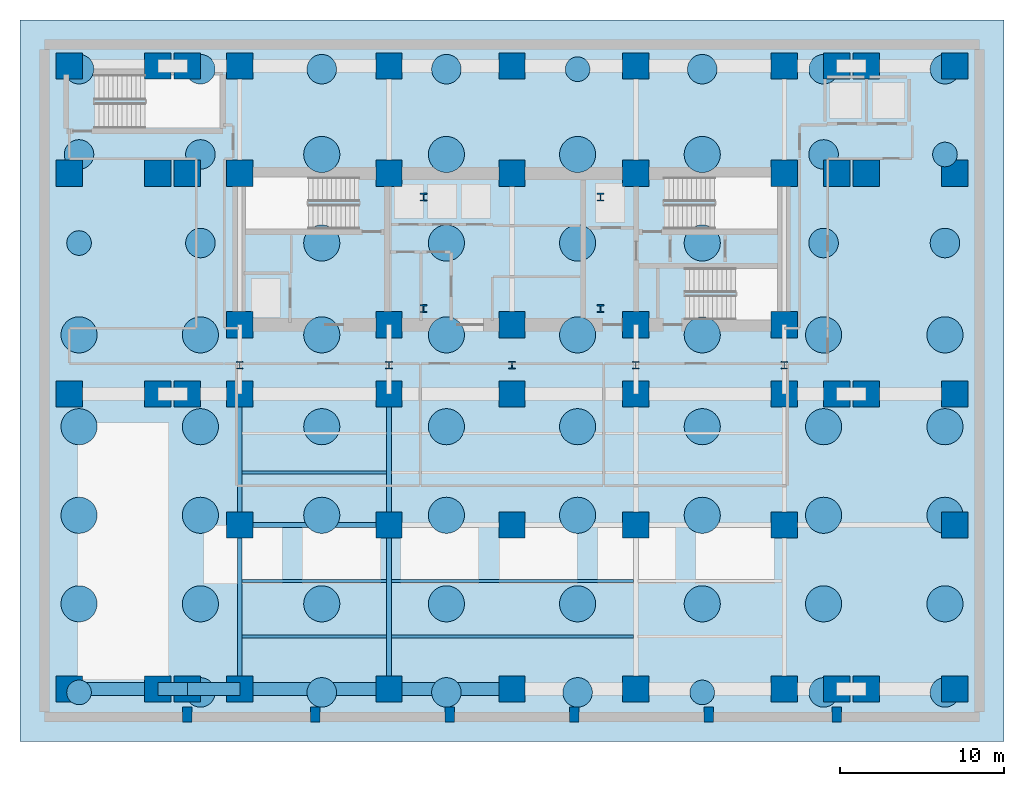
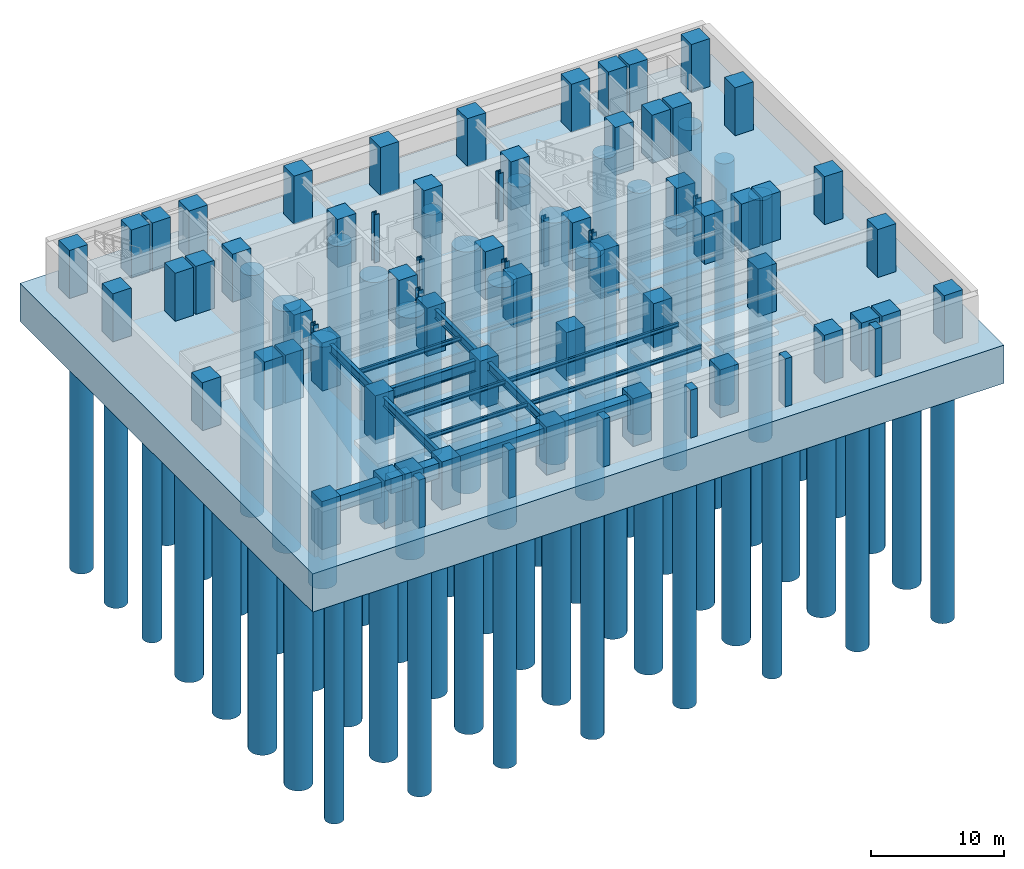
# One storey, part 1 of 9: 70 columns, 64 piles, 15 beams, 1 footing.
"""IFC4 building model written with IfcOpenShell, lengths in metres."""

from ifc_helpers import new_model, si_unit, direction, frame, origin, origin_2d, place, context, subcontext, project, spatial, polyline, rectangle, circle, i_section, outline, extrude, material, layer, layer_set, material_profile, profile_set, type_object, element, save


model = new_model("IFC4")

# Units and contexts
model_context = context("Model", 3, precision=1e-05, world=origin(), true_north=direction((0.0, 1.0)))
body_context = subcontext(model_context, "Body", "Model", "MODEL_VIEW")
ifc_project = project(units=[si_unit("LENGTHUNIT", "METRE"), si_unit("AREAUNIT", "SQUARE_METRE"), si_unit("VOLUMEUNIT", "CUBIC_METRE"), si_unit("PLANEANGLEUNIT", "RADIAN"), si_unit("MASSUNIT", "GRAM", prefix="KILO")], contexts=[model_context])

# Site, building, storey
site_placement = place(None, origin())
site = spatial("IfcSite", under=ifc_project, at=site_placement, CompositionType="ELEMENT")
building_placement = place(site_placement, origin())
building = spatial("IfcBuilding", under=site, at=building_placement, Name="Zarnavel Station Tower", CompositionType="ELEMENT")
storey_placement = place(building_placement, frame((0.0, 0.0, -13.199951171875)))
storey = spatial("IfcBuildingStorey", under=building, at=storey_placement, Name="B03", CompositionType="ELEMENT", Elevation=-13.199951171875)

# Piles
ifc_material_1 = material(Name="Concrete C50/60", Category="concrete")
ifc_material_profile_1 = material_profile(ifc_material_1, circle(Radius=0.75, at=origin_2d()), Name="PILE1500")
ifc_profile_set_1 = profile_set([ifc_material_profile_1], Name="Concrete C50/60")
pile_type_1 = type_object("IfcPileType", Name="BP_1500", PredefinedType="BORED", material=ifc_profile_set_1)
for number, where, z_axis, x_axis, name in (
    (1, (2.39990234375, 5.39990234375, -3.300048828125), (0.0, 0.0, -1.0), (1.0, 0.0, 0.0), "Bored Rock-Socketed Pile BP01"),
    (2, (40.39990234375, 5.39990234375, -3.300048828125), (0.0, 0.0, -1.0), (1.0, 0.0, 0.0), "Bored Rock-Socketed Pile BP06"),
    (3, (2.39990234375, 32.800048828125, -3.300048828125), (0.0, 0.0, -1.0), (1.0, 0.0, 0.0), "Bored Rock-Socketed Pile BP41"),
    (4, (55.199951171875, 38.199951171875, -3.300048828125), (0.0, 0.0, -1.0), (1.0, 0.0, 0.0), "Bored Rock-Socketed Pile BP56"),
    (5, (32.800048828125, 43.39990234375, -3.300048828125), (0.0, 0.0, -1.0), (1.0, 0.0, 0.0), "Bored Rock-Socketed Pile BP61"),
):
    element("IfcPile", number, at=place(storey_placement, frame(where, z_axis=z_axis, x_axis=x_axis)), inside=storey, type_object=pile_type_1, Name=name, PredefinedType="BORED", context=body_context, shape_type="SweptSolid", body=[
        extrude(circle(Radius=0.75, at=origin_2d()), origin(), (0.0, 0.0, 1.0), 22.199951171875),
    ])
ifc_material_2 = material(Name="Concrete C50/60", Category="concrete")
ifc_material_profile_2 = material_profile(ifc_material_2, circle(Radius=0.89990234375, at=origin_2d()), Name="PILE1800")
ifc_profile_set_2 = profile_set([ifc_material_profile_2], Name="Concrete C50/60")
pile_type_2 = type_object("IfcPileType", Name="BP_1800", PredefinedType="BORED", material=ifc_profile_set_2)
for number, where, z_axis, x_axis, name in (
    (6, (9.800048828125, 5.39990234375, -3.300048828125), (0.0, 0.0, -1.0), (1.0, 0.0, 0.0), "Bored Rock-Socketed Pile BP02"),
    (7, (17.199951171875, 5.39990234375, -3.300048828125), (0.0, 0.0, -1.0), (1.0, 0.0, 0.0), "Bored Rock-Socketed Pile BP03"),
    (8, (24.800048828125, 5.39990234375, -3.300048828125), (0.0, 0.0, -1.0), (1.0, 0.0, 0.0), "Bored Rock-Socketed Pile BP04"),
    (9, (32.800048828125, 5.39990234375, -3.300048828125), (0.0, 0.0, -1.0), (1.0, 0.0, 0.0), "Bored Rock-Socketed Pile BP05"),
    (10, (47.800048828125, 5.39990234375, -3.300048828125), (0.0, 0.0, -1.0), (1.0, 0.0, 0.0), "Bored Rock-Socketed Pile BP07"),
    (11, (55.199951171875, 5.39990234375, -3.300048828125), (0.0, 0.0, -1.0), (1.0, 0.0, 0.0), "Bored Rock-Socketed Pile BP08"),
    (12, (9.800048828125, 32.800048828125, -3.300048828125), (0.0, 0.0, -1.0), (1.0, 0.0, 0.0), "Bored Rock-Socketed Pile BP42"),
    (13, (47.800048828125, 32.800048828125, -3.300048828125), (0.0, 0.0, -1.0), (1.0, 0.0, 0.0), "Bored Rock-Socketed Pile BP47"),
    (14, (55.199951171875, 32.800048828125, -3.300048828125), (0.0, 0.0, -1.0), (1.0, 0.0, 0.0), "Bored Rock-Socketed Pile BP48"),
    (15, (2.39990234375, 38.199951171875, -3.300048828125), (0.0, 0.0, -1.0), (1.0, 0.0, 0.0), "Bored Rock-Socketed Pile BP49"),
    (16, (9.800048828125, 38.199951171875, -3.300048828125), (0.0, 0.0, -1.0), (1.0, 0.0, 0.0), "Bored Rock-Socketed Pile BP50"),
    (17, (47.800048828125, 38.199951171875, -3.300048828125), (0.0, 0.0, -1.0), (1.0, 0.0, 0.0), "Bored Rock-Socketed Pile BP55"),
    (18, (2.39990234375, 43.39990234375, -3.300048828125), (0.0, 0.0, -1.0), (1.0, 0.0, 0.0), "Bored Rock-Socketed Pile BP57"),
    (19, (9.800048828125, 43.39990234375, -3.300048828125), (0.0, 0.0, -1.0), (1.0, 0.0, 0.0), "Bored Rock-Socketed Pile BP58"),
    (20, (17.199951171875, 43.39990234375, -3.300048828125), (0.0, 0.0, -1.0), (1.0, 0.0, 0.0), "Bored Rock-Socketed Pile BP59"),
    (21, (24.800048828125, 43.39990234375, -3.300048828125), (0.0, 0.0, -1.0), (1.0, 0.0, 0.0), "Bored Rock-Socketed Pile BP60"),
    (22, (40.39990234375, 43.39990234375, -3.300048828125), (0.0, 0.0, -1.0), (1.0, 0.0, 0.0), "Bored Rock-Socketed Pile BP62"),
    (23, (47.800048828125, 43.39990234375, -3.300048828125), (0.0, 0.0, -1.0), (1.0, 0.0, 0.0), "Bored Rock-Socketed Pile BP63"),
    (24, (55.199951171875, 43.39990234375, -3.300048828125), (0.0, 0.0, -1.0), (1.0, 0.0, 0.0), "Bored Rock-Socketed Pile BP64"),
):
    element("IfcPile", number, at=place(storey_placement, frame(where, z_axis=z_axis, x_axis=x_axis)), inside=storey, type_object=pile_type_2, Name=name, PredefinedType="BORED", context=body_context, shape_type="SweptSolid", body=[
        extrude(circle(Radius=0.89990234375, at=origin_2d()), origin(), (0.0, 0.0, 1.0), 22.199951171875),
    ])
ifc_material_3 = material(Name="Concrete C50/60", Category="concrete")
ifc_material_profile_3 = material_profile(ifc_material_3, circle(Radius=1.10009765625, at=origin_2d()), Name="PILE2200")
ifc_profile_set_3 = profile_set([ifc_material_profile_3], Name="Concrete C50/60")
pile_type_3 = type_object("IfcPileType", Name="BP_2200", PredefinedType="BORED", material=ifc_profile_set_3)
for number, where, z_axis, x_axis, name in (
    (25, (2.39990234375, 10.800048828125, -3.300048828125), (0.0, 0.0, -1.0), (1.0, 0.0, 0.0), "Bored Rock-Socketed Pile BP09"),
    (26, (9.800048828125, 10.800048828125, -3.300048828125), (0.0, 0.0, -1.0), (1.0, 0.0, 0.0), "Bored Rock-Socketed Pile BP10"),
    (27, (17.199951171875, 10.800048828125, -3.300048828125), (0.0, 0.0, -1.0), (1.0, 0.0, 0.0), "Bored Rock-Socketed Pile BP11"),
    (28, (24.800048828125, 10.800048828125, -3.300048828125), (0.0, 0.0, -1.0), (1.0, 0.0, 0.0), "Bored Rock-Socketed Pile BP12"),
    (29, (32.800048828125, 10.800048828125, -3.300048828125), (0.0, 0.0, -1.0), (1.0, 0.0, 0.0), "Bored Rock-Socketed Pile BP13"),
    (30, (40.39990234375, 10.800048828125, -3.300048828125), (0.0, 0.0, -1.0), (1.0, 0.0, 0.0), "Bored Rock-Socketed Pile BP14"),
    (31, (47.800048828125, 10.800048828125, -3.300048828125), (0.0, 0.0, -1.0), (1.0, 0.0, 0.0), "Bored Rock-Socketed Pile BP15"),
    (32, (55.199951171875, 10.800048828125, -3.300048828125), (0.0, 0.0, -1.0), (1.0, 0.0, 0.0), "Bored Rock-Socketed Pile BP16"),
    (33, (2.39990234375, 16.199951171875, -3.300048828125), (0.0, 0.0, -1.0), (1.0, 0.0, 0.0), "Bored Rock-Socketed Pile BP17"),
    (34, (9.800048828125, 16.199951171875, -3.300048828125), (0.0, 0.0, -1.0), (1.0, 0.0, 0.0), "Bored Rock-Socketed Pile BP18"),
    (35, (17.199951171875, 16.199951171875, -3.300048828125), (0.0, 0.0, -1.0), (1.0, 0.0, 0.0), "Bored Rock-Socketed Pile BP19"),
    (36, (24.800048828125, 16.199951171875, -3.300048828125), (0.0, 0.0, -1.0), (1.0, 0.0, 0.0), "Bored Rock-Socketed Pile BP20"),
    (37, (32.800048828125, 16.199951171875, -3.300048828125), (0.0, 0.0, -1.0), (1.0, 0.0, 0.0), "Bored Rock-Socketed Pile BP21"),
    (38, (40.39990234375, 16.199951171875, -3.300048828125), (0.0, 0.0, -1.0), (1.0, 0.0, 0.0), "Bored Rock-Socketed Pile BP22"),
    (39, (47.800048828125, 16.199951171875, -3.300048828125), (0.0, 0.0, -1.0), (1.0, 0.0, 0.0), "Bored Rock-Socketed Pile BP23"),
    (40, (55.199951171875, 16.199951171875, -3.300048828125), (0.0, 0.0, -1.0), (1.0, 0.0, 0.0), "Bored Rock-Socketed Pile BP24"),
    (41, (2.39990234375, 21.60009765625, -3.300048828125), (0.0, 0.0, -1.0), (1.0, 0.0, 0.0), "Bored Rock-Socketed Pile BP25"),
    (42, (9.800048828125, 21.60009765625, -3.300048828125), (0.0, 0.0, -1.0), (1.0, 0.0, 0.0), "Bored Rock-Socketed Pile BP26"),
    (43, (17.199951171875, 21.60009765625, -3.300048828125), (0.0, 0.0, -1.0), (1.0, 0.0, 0.0), "Bored Rock-Socketed Pile BP27"),
    (44, (24.800048828125, 21.60009765625, -3.300048828125), (0.0, 0.0, -1.0), (1.0, 0.0, 0.0), "Bored Rock-Socketed Pile BP28"),
    (45, (32.800048828125, 21.60009765625, -3.300048828125), (0.0, 0.0, -1.0), (1.0, 0.0, 0.0), "Bored Rock-Socketed Pile BP29"),
    (46, (40.39990234375, 21.60009765625, -3.300048828125), (0.0, 0.0, -1.0), (1.0, 0.0, 0.0), "Bored Rock-Socketed Pile BP30"),
    (47, (47.800048828125, 21.60009765625, -3.300048828125), (0.0, 0.0, -1.0), (1.0, 0.0, 0.0), "Bored Rock-Socketed Pile BP31"),
    (48, (55.199951171875, 21.60009765625, -3.300048828125), (0.0, 0.0, -1.0), (1.0, 0.0, 0.0), "Bored Rock-Socketed Pile BP32"),
    (49, (2.39990234375, 27.199951171875, -3.300048828125), (0.0, 0.0, -1.0), (1.0, 0.0, 0.0), "Bored Rock-Socketed Pile BP33"),
    (50, (9.800048828125, 27.199951171875, -3.300048828125), (0.0, 0.0, -1.0), (1.0, 0.0, 0.0), "Bored Rock-Socketed Pile BP34"),
    (51, (17.199951171875, 27.199951171875, -3.300048828125), (0.0, 0.0, -1.0), (1.0, 0.0, 0.0), "Bored Rock-Socketed Pile BP35"),
    (52, (24.800048828125, 27.199951171875, -3.300048828125), (0.0, 0.0, -1.0), (1.0, 0.0, 0.0), "Bored Rock-Socketed Pile BP36"),
    (53, (32.800048828125, 27.199951171875, -3.300048828125), (0.0, 0.0, -1.0), (1.0, 0.0, 0.0), "Bored Rock-Socketed Pile BP37"),
    (54, (40.39990234375, 27.199951171875, -3.300048828125), (0.0, 0.0, -1.0), (1.0, 0.0, 0.0), "Bored Rock-Socketed Pile BP38"),
    (55, (47.800048828125, 27.199951171875, -3.300048828125), (0.0, 0.0, -1.0), (1.0, 0.0, 0.0), "Bored Rock-Socketed Pile BP39"),
    (56, (55.199951171875, 27.199951171875, -3.300048828125), (0.0, 0.0, -1.0), (1.0, 0.0, 0.0), "Bored Rock-Socketed Pile BP40"),
    (57, (17.199951171875, 32.800048828125, -3.300048828125), (0.0, 0.0, -1.0), (1.0, 0.0, 0.0), "Bored Rock-Socketed Pile BP43"),
    (58, (24.800048828125, 32.800048828125, -3.300048828125), (0.0, 0.0, -1.0), (1.0, 0.0, 0.0), "Bored Rock-Socketed Pile BP44"),
    (59, (32.800048828125, 32.800048828125, -3.300048828125), (0.0, 0.0, -1.0), (1.0, 0.0, 0.0), "Bored Rock-Socketed Pile BP45"),
    (60, (40.39990234375, 32.800048828125, -3.300048828125), (0.0, 0.0, -1.0), (1.0, 0.0, 0.0), "Bored Rock-Socketed Pile BP46"),
    (61, (17.199951171875, 38.199951171875, -3.300048828125), (0.0, 0.0, -1.0), (1.0, 0.0, 0.0), "Bored Rock-Socketed Pile BP51"),
    (62, (24.800048828125, 38.199951171875, -3.300048828125), (0.0, 0.0, -1.0), (1.0, 0.0, 0.0), "Bored Rock-Socketed Pile BP52"),
    (63, (32.800048828125, 38.199951171875, -3.300048828125), (0.0, 0.0, -1.0), (1.0, 0.0, 0.0), "Bored Rock-Socketed Pile BP53"),
    (64, (40.39990234375, 38.199951171875, -3.300048828125), (0.0, 0.0, -1.0), (1.0, 0.0, 0.0), "Bored Rock-Socketed Pile BP54"),
):
    element("IfcPile", number, at=place(storey_placement, frame(where, z_axis=z_axis, x_axis=x_axis)), inside=storey, type_object=pile_type_3, Name=name, PredefinedType="BORED", context=body_context, shape_type="SweptSolid", body=[
        extrude(circle(Radius=1.10009765625, at=origin_2d()), origin(), (0.0, 0.0, 1.0), 22.199951171875),
    ])

# Footing
ifc_material_4 = material(Name="Concrete C50/60", Category="concrete")
ifc_layer = layer(ifc_material_4, 3.5)
ifc_layer_set = layer_set([ifc_layer], Name="FT_RAFT_3500")
footing_type = type_object("IfcFootingType", Name="FT_RAFT_3500", PredefinedType="CAISSON_FOUNDATION", material=ifc_layer_set)
footing_placement = place(storey_placement, frame((0.0, 0.0, -3.5)))
element("IfcFooting", 65, at=footing_placement, inside=storey, type_object=footing_type, Name="B03 Monolithic Piled Raft", PredefinedType="CAISSON_FOUNDATION", context=body_context, shape_type="SweptSolid", body=[
    extrude(outline(polyline([(-1.199951171875, 2.39990234375), (58.800048828125, 2.39990234375), (58.800048828125, 46.39990234375), (-1.199951171875, 46.39990234375), (-1.199951171875, 2.39990234375)])), origin(), (0.0, 0.0, 1.0), 3.5),
])

# Columns
ifc_material_5 = material(Name="Steel S460M", Category="steel")
ifc_material_profile_4 = material_profile(ifc_material_5, i_section(OverallWidth=0.41796875, OverallDepth=0.48095703125, WebThickness=0.04345703125, FlangeThickness=0.068115234375, FilletRadius=0.014892578125, at=origin_2d()), Name="HD400x677")
ifc_profile_set_4 = profile_set([ifc_material_profile_4], Name="Steel S460M")
column_type_1 = type_object("IfcColumnType", Name="IC_HD677", PredefinedType="COLUMN", material=ifc_profile_set_4)
for number, where, z_axis, x_axis, name in (
    (66, (23.39990234375, 28.800048828125, 0.0), (0.0, 0.0, 1.0), (1.0, 0.0, 0.0), "B03 Mast Spine Column 1"),
    (67, (34.199951171875, 28.800048828125, 0.0), (0.0, 0.0, 1.0), (1.0, 0.0, 0.0), "B03 Mast Spine Column 2"),
    (68, (34.199951171875, 35.60009765625, 0.0), (0.0, 0.0, 1.0), (1.0, 0.0, 0.0), "B03 Mast Spine Column 3"),
    (69, (23.39990234375, 35.60009765625, 0.0), (0.0, 0.0, 1.0), (1.0, 0.0, 0.0), "B03 Mast Spine Column 4"),
    (70, (12.199951171875, 25.35009765625, 0.0), (0.0, 0.0, 1.0), (1.0, 0.0, 0.0), "B03 Inner Spine Column 1"),
    (71, (21.300048828125, 25.35009765625, 0.0), (0.0, 0.0, 1.0), (1.0, 0.0, 0.0), "B03 Inner Spine Column 2"),
    (72, (28.800048828125, 25.35009765625, 0.0), (0.0, 0.0, 1.0), (1.0, 0.0, 0.0), "B03 Inner Spine Column 3"),
    (73, (36.35009765625, 25.35009765625, 0.0), (0.0, 0.0, 1.0), (1.0, 0.0, 0.0), "B03 Inner Spine Column 4"),
    (74, (45.39990234375, 25.35009765625, 0.0), (0.0, 0.0, 1.0), (1.0, 0.0, 0.0), "B03 Inner Spine Column 5"),
):
    element("IfcColumn", number, at=place(storey_placement, frame(where, z_axis=z_axis, x_axis=x_axis)), inside=storey, type_object=column_type_1, Name=name, PredefinedType="COLUMN", context=body_context, shape_type="SweptSolid", body=[
        extrude(i_section(OverallWidth=0.41796875, OverallDepth=0.48095703125, WebThickness=0.04345703125, FlangeThickness=0.068115234375, FilletRadius=0.014892578125, at=origin_2d()), origin(), (0.0, 0.0, 1.0), 4.39990234375),
    ])
ifc_material_6 = material(Name="Concrete C60/75", Category="concrete")
ifc_material_profile_5 = material_profile(ifc_material_6, rectangle(XDim=1.60009765625, YDim=1.60009765625, at=origin_2d()), Name="RC1600x1600")
ifc_profile_set_5 = profile_set([ifc_material_profile_5], Name="Concrete C60/75")
column_type_2 = type_object("IfcColumnType", Name="IC_RC1600", PredefinedType="COLUMN", material=ifc_profile_set_5)
for number, where, z_axis, x_axis, name in (
    (75, (12.199951171875, 27.820068359375, 0.0), (0.0, 0.0, 1.0), (1.0, 0.0, 0.0), "B03 Core Spine Column 1-1"),
    (76, (12.199951171875, 37.050048828125, 0.0), (0.0, 0.0, 1.0), (1.0, 0.0, 0.0), "B03 Core Spine Column 1-2"),
    (77, (21.300048828125, 27.820068359375, 0.0), (0.0, 0.0, 1.0), (1.0, 0.0, 0.0), "B03 Core Spine Column 2-1"),
    (78, (21.300048828125, 37.050048828125, 0.0), (0.0, 0.0, 1.0), (1.0, 0.0, 0.0), "B03 Core Spine Column 2-2"),
    (79, (28.800048828125, 27.820068359375, 0.0), (0.0, 0.0, 1.0), (1.0, 0.0, 0.0), "B03 Core Spine Column 3-1"),
    (80, (28.800048828125, 37.050048828125, 0.0), (0.0, 0.0, 1.0), (1.0, 0.0, 0.0), "B03 Core Spine Column 3-2"),
    (81, (36.35009765625, 27.820068359375, 0.0), (0.0, 0.0, 1.0), (1.0, 0.0, 0.0), "B03 Core Spine Column 4-1"),
    (82, (36.35009765625, 37.050048828125, 0.0), (0.0, 0.0, 1.0), (1.0, 0.0, 0.0), "B03 Core Spine Column 4-2"),
    (83, (45.39990234375, 27.820068359375, 0.0), (0.0, 0.0, 1.0), (1.0, 0.0, 0.0), "B03 Core Spine Column 5-1"),
    (84, (45.39990234375, 37.050048828125, 0.0), (0.0, 0.0, 1.0), (1.0, 0.0, 0.0), "B03 Core Spine Column 5-2"),
    (85, (1.800048828125, 5.60009765625, 0.0), (0.0, 0.0, 1.0), (1.0, 0.0, 0.0), "B03 Podium Column 1-1"),
    (86, (1.800048828125, 23.60009765625, 0.0), (0.0, 0.0, 1.0), (1.0, 0.0, 0.0), "B03 Podium Column 1-3"),
    (87, (1.800048828125, 37.050048828125, 0.0), (0.0, 0.0, 1.0), (1.0, 0.0, 0.0), "B03 Podium Column 1-4"),
    (88, (1.800048828125, 43.60009765625, 0.0), (0.0, 0.0, 1.0), (1.0, 0.0, 0.0), "B03 Podium Column 1-5"),
    (89, (7.199951171875, 5.60009765625, 0.0), (0.0, 0.0, 1.0), (1.0, 0.0, 0.0), "B03 Podium Column 2-1"),
    (90, (7.199951171875, 23.60009765625, 0.0), (0.0, 0.0, 1.0), (1.0, 0.0, 0.0), "B03 Podium Column 2-3"),
    (91, (7.199951171875, 37.050048828125, 0.0), (0.0, 0.0, 1.0), (1.0, 0.0, 0.0), "B03 Podium Column 2-4"),
    (92, (7.199951171875, 43.60009765625, 0.0), (0.0, 0.0, 1.0), (1.0, 0.0, 0.0), "B03 Podium Column 2-5"),
    (93, (9.0, 5.60009765625, 0.0), (0.0, 0.0, 1.0), (1.0, 0.0, 0.0), "B03 Podium Column 3-1"),
    (94, (9.0, 23.60009765625, 0.0), (0.0, 0.0, 1.0), (1.0, 0.0, 0.0), "B03 Podium Column 3-3"),
    (95, (9.0, 37.050048828125, 0.0), (0.0, 0.0, 1.0), (1.0, 0.0, 0.0), "B03 Podium Column 3-4"),
    (96, (9.0, 43.60009765625, 0.0), (0.0, 0.0, 1.0), (1.0, 0.0, 0.0), "B03 Podium Column 3-5"),
    (97, (12.199951171875, 5.60009765625, 0.0), (0.0, 0.0, 1.0), (1.0, 0.0, 0.0), "B03 Podium Column 4-1"),
    (98, (12.199951171875, 15.60009765625, 0.0), (0.0, 0.0, 1.0), (1.0, 0.0, 0.0), "B03 Podium Column 4-2"),
    (99, (12.199951171875, 23.60009765625, 0.0), (0.0, 0.0, 1.0), (1.0, 0.0, 0.0), "B03 Podium Column 4-3"),
    (100, (12.199951171875, 43.60009765625, 0.0), (0.0, 0.0, 1.0), (1.0, 0.0, 0.0), "B03 Podium Column 4-5"),
    (101, (21.300048828125, 5.60009765625, 0.0), (0.0, 0.0, 1.0), (1.0, 0.0, 0.0), "B03 Podium Column 5-1"),
    (102, (21.300048828125, 15.60009765625, 0.0), (0.0, 0.0, 1.0), (1.0, 0.0, 0.0), "B03 Podium Column 5-2"),
    (103, (21.300048828125, 23.60009765625, 0.0), (0.0, 0.0, 1.0), (1.0, 0.0, 0.0), "B03 Podium Column 5-3"),
    (104, (21.300048828125, 43.60009765625, 0.0), (0.0, 0.0, 1.0), (1.0, 0.0, 0.0), "B03 Podium Column 5-5"),
    (105, (28.800048828125, 5.60009765625, 0.0), (0.0, 0.0, 1.0), (1.0, 0.0, 0.0), "B03 Podium Column 6-1"),
    (106, (28.800048828125, 15.60009765625, 0.0), (0.0, 0.0, 1.0), (1.0, 0.0, 0.0), "B03 Podium Column 6-2"),
    (107, (28.800048828125, 23.60009765625, 0.0), (0.0, 0.0, 1.0), (1.0, 0.0, 0.0), "B03 Podium Column 6-3"),
    (108, (28.800048828125, 43.60009765625, 0.0), (0.0, 0.0, 1.0), (1.0, 0.0, 0.0), "B03 Podium Column 6-5"),
    (109, (36.35009765625, 5.60009765625, 0.0), (0.0, 0.0, 1.0), (1.0, 0.0, 0.0), "B03 Podium Column 7-1"),
    (110, (36.35009765625, 15.60009765625, 0.0), (0.0, 0.0, 1.0), (1.0, 0.0, 0.0), "B03 Podium Column 7-2"),
    (111, (36.35009765625, 23.60009765625, 0.0), (0.0, 0.0, 1.0), (1.0, 0.0, 0.0), "B03 Podium Column 7-3"),
    (112, (36.35009765625, 43.60009765625, 0.0), (0.0, 0.0, 1.0), (1.0, 0.0, 0.0), "B03 Podium Column 7-5"),
    (113, (45.39990234375, 5.60009765625, 0.0), (0.0, 0.0, 1.0), (1.0, 0.0, 0.0), "B03 Podium Column 8-1"),
    (114, (45.39990234375, 15.60009765625, 0.0), (0.0, 0.0, 1.0), (1.0, 0.0, 0.0), "B03 Podium Column 8-2"),
    (115, (45.39990234375, 23.60009765625, 0.0), (0.0, 0.0, 1.0), (1.0, 0.0, 0.0), "B03 Podium Column 8-3"),
    (116, (45.39990234375, 43.60009765625, 0.0), (0.0, 0.0, 1.0), (1.0, 0.0, 0.0), "B03 Podium Column 8-5"),
    (117, (48.60009765625, 5.60009765625, 0.0), (0.0, 0.0, 1.0), (1.0, 0.0, 0.0), "B03 Podium Column 9-1"),
    (118, (48.60009765625, 23.60009765625, 0.0), (0.0, 0.0, 1.0), (1.0, 0.0, 0.0), "B03 Podium Column 9-3"),
    (119, (48.60009765625, 37.050048828125, 0.0), (0.0, 0.0, 1.0), (1.0, 0.0, 0.0), "B03 Podium Column 9-4"),
    (120, (48.60009765625, 43.60009765625, 0.0), (0.0, 0.0, 1.0), (1.0, 0.0, 0.0), "B03 Podium Column 9-5"),
    (121, (50.39990234375, 5.60009765625, 0.0), (0.0, 0.0, 1.0), (1.0, 0.0, 0.0), "B03 Podium Column 10-1"),
    (122, (50.39990234375, 23.60009765625, 0.0), (0.0, 0.0, 1.0), (1.0, 0.0, 0.0), "B03 Podium Column 10-3"),
    (123, (50.39990234375, 37.050048828125, 0.0), (0.0, 0.0, 1.0), (1.0, 0.0, 0.0), "B03 Podium Column 10-4"),
    (124, (50.39990234375, 43.60009765625, 0.0), (0.0, 0.0, 1.0), (1.0, 0.0, 0.0), "B03 Podium Column 10-5"),
    (125, (55.800048828125, 5.60009765625, 0.0), (0.0, 0.0, 1.0), (1.0, 0.0, 0.0), "B03 Podium Column 11-1"),
    (126, (55.800048828125, 15.60009765625, 0.0), (0.0, 0.0, 1.0), (1.0, 0.0, 0.0), "B03 Podium Column 11-2"),
    (127, (55.800048828125, 23.60009765625, 0.0), (0.0, 0.0, 1.0), (1.0, 0.0, 0.0), "B03 Podium Column 11-3"),
    (128, (55.800048828125, 37.050048828125, 0.0), (0.0, 0.0, 1.0), (1.0, 0.0, 0.0), "B03 Podium Column 11-4"),
    (129, (55.800048828125, 43.60009765625, 0.0), (0.0, 0.0, 1.0), (1.0, 0.0, 0.0), "B03 Podium Column 11-5"),
):
    element("IfcColumn", number, at=place(storey_placement, frame(where, z_axis=z_axis, x_axis=x_axis)), inside=storey, type_object=column_type_2, Name=name, PredefinedType="COLUMN", context=body_context, shape_type="SweptSolid", body=[
        extrude(rectangle(XDim=1.60009765625, YDim=1.60009765625, at=origin_2d()), origin(), (0.0, 0.0, 1.0), 4.39990234375),
    ])
ifc_material_7 = material(Name="Precast concrete C45/55", Category="concrete")
ifc_material_profile_6 = material_profile(ifc_material_7, rectangle(XDim=0.60009765625, YDim=0.89990234375, at=origin_2d()), Name="RC600x900")
ifc_profile_set_6 = profile_set([ifc_material_profile_6], Name="Precast concrete C45/55")
column_type_3 = type_object("IfcColumnType", Name="PL_BASALT", PredefinedType="PILASTER", material=ifc_profile_set_6)
for number, where, z_axis, x_axis, name in (
    (130, (9.0, 4.050048828125, 0.0), (0.0, 0.0, 1.0), (1.0, 0.0, 0.0), "B03 Basalt Facade Pilaster S1"),
    (131, (16.800048828125, 4.050048828125, 0.0), (0.0, 0.0, 1.0), (1.0, 0.0, 0.0), "B03 Basalt Facade Pilaster S2"),
    (132, (25.0, 4.050048828125, 0.0), (0.0, 0.0, 1.0), (1.0, 0.0, 0.0), "B03 Basalt Facade Pilaster S3"),
    (133, (32.60009765625, 4.050048828125, 0.0), (0.0, 0.0, 1.0), (1.0, 0.0, 0.0), "B03 Basalt Facade Pilaster S4"),
    (134, (40.800048828125, 4.050048828125, 0.0), (0.0, 0.0, 1.0), (1.0, 0.0, 0.0), "B03 Basalt Facade Pilaster S5"),
    (135, (48.60009765625, 4.050048828125, 0.0), (0.0, 0.0, 1.0), (1.0, 0.0, 0.0), "B03 Basalt Facade Pilaster S6"),
):
    element("IfcColumn", number, at=place(storey_placement, frame(where, z_axis=z_axis, x_axis=x_axis)), inside=storey, type_object=column_type_3, Name=name, PredefinedType="PILASTER", context=body_context, shape_type="SweptSolid", body=[
        extrude(rectangle(XDim=0.60009765625, YDim=0.89990234375, at=origin_2d()), origin(), (0.0, 0.0, 1.0), 4.39990234375),
    ])

# Beams
ifc_material_8 = material(Name="Steel S460M", Category="steel")
ifc_material_profile_7 = material_profile(ifc_material_8, i_section(OverallWidth=0.302978515625, OverallDepth=0.81396484375, WebThickness=0.02099609375, FlangeThickness=0.0400390625, FilletRadius=0.030029296875, at=origin_2d()), Name="HEM800")
ifc_profile_set_7 = profile_set([ifc_material_profile_7], Name="Steel S460M")
beam_type_1 = type_object("IfcBeamType", Name="FG_HEM800", PredefinedType="USERDEFINED", material=ifc_profile_set_7)
beam_1_placement = place(storey_placement, frame((12.199951171875, 5.60009765625, 3.6728515625), z_axis=(0.0, 1.0, 0.0), x_axis=(-1.0, 0.0, 0.0)))
element("IfcBeam", 136, at=beam_1_placement, inside=storey, type_object=beam_type_1, Name="B03 NS Girder South 1", ObjectType="GIRDER", PredefinedType="USERDEFINED", context=body_context, shape_type="SweptSolid", body=[
    extrude(i_section(OverallWidth=0.302978515625, OverallDepth=0.81396484375, WebThickness=0.02099609375, FlangeThickness=0.0400390625, FilletRadius=0.030029296875, at=origin_2d()), origin(), (0.0, 0.0, 1.0), 10.0),
])
beam_2_placement = place(storey_placement, frame((12.199951171875, 15.60009765625, 3.6728515625), z_axis=(0.0, 1.0, 0.0), x_axis=(-1.0, 0.0, 0.0)))
element("IfcBeam", 137, at=beam_2_placement, inside=storey, type_object=beam_type_1, Name="B03 NS Girder Mid 1", ObjectType="GIRDER", PredefinedType="USERDEFINED", context=body_context, shape_type="SweptSolid", body=[
    extrude(i_section(OverallWidth=0.302978515625, OverallDepth=0.81396484375, WebThickness=0.02099609375, FlangeThickness=0.0400390625, FilletRadius=0.030029296875, at=origin_2d()), origin(), (0.0, 0.0, 1.0), 8.0),
])
beam_3_placement = place(storey_placement, frame((21.300048828125, 5.60009765625, 3.6728515625), z_axis=(0.0, 1.0, 0.0), x_axis=(-1.0, 0.0, 0.0)))
element("IfcBeam", 138, at=beam_3_placement, inside=storey, type_object=beam_type_1, Name="B03 NS Girder South 2", ObjectType="GIRDER", PredefinedType="USERDEFINED", context=body_context, shape_type="SweptSolid", body=[
    extrude(i_section(OverallWidth=0.302978515625, OverallDepth=0.81396484375, WebThickness=0.02099609375, FlangeThickness=0.0400390625, FilletRadius=0.030029296875, at=origin_2d()), origin(), (0.0, 0.0, 1.0), 10.0),
])
beam_4_placement = place(storey_placement, frame((21.300048828125, 15.60009765625, 3.6728515625), z_axis=(0.0, 1.0, 0.0), x_axis=(-1.0, 0.0, 0.0)))
element("IfcBeam", 139, at=beam_4_placement, inside=storey, type_object=beam_type_1, Name="B03 NS Girder Mid 2", ObjectType="GIRDER", PredefinedType="USERDEFINED", context=body_context, shape_type="SweptSolid", body=[
    extrude(i_section(OverallWidth=0.302978515625, OverallDepth=0.81396484375, WebThickness=0.02099609375, FlangeThickness=0.0400390625, FilletRadius=0.030029296875, at=origin_2d()), origin(), (0.0, 0.0, 1.0), 8.0),
])
ifc_material_9 = material(Name="Concrete C45/55", Category="concrete")
ifc_material_profile_8 = material_profile(ifc_material_9, rectangle(XDim=0.800048828125, YDim=1.39990234375, at=origin_2d()), Name="RC800x1400")
ifc_profile_set_8 = profile_set([ifc_material_profile_8], Name="Concrete C45/55")
beam_type_2 = type_object("IfcBeamType", Name="FG_RC800x1400", PredefinedType="USERDEFINED", material=ifc_profile_set_8)
beam_5_placement = place(storey_placement, frame((1.800048828125, 5.60009765625, 3.3798828125), z_axis=(1.0, 0.0, 0.0), x_axis=(0.0, 1.0, 0.0)))
element("IfcBeam", 140, at=beam_5_placement, inside=storey, type_object=beam_type_2, Name="B03 EW Frame Girder 1-1", ObjectType="GIRDER", PredefinedType="USERDEFINED", context=body_context, shape_type="SweptSolid", body=[
    extrude(rectangle(XDim=0.800048828125, YDim=1.39990234375, at=origin_2d()), origin(), (0.0, 0.0, 1.0), 5.39990234375),
])
beam_6_placement = place(storey_placement, frame((7.199951171875, 5.60009765625, 3.3798828125), z_axis=(1.0, 0.0, 0.0), x_axis=(0.0, 1.0, 0.0)))
element("IfcBeam", 141, at=beam_6_placement, inside=storey, type_object=beam_type_2, Name="B03 EW Frame Girder 1-2", ObjectType="GIRDER", PredefinedType="USERDEFINED", context=body_context, shape_type="SweptSolid", body=[
    extrude(rectangle(XDim=0.800048828125, YDim=1.39990234375, at=origin_2d()), origin(), (0.0, 0.0, 1.0), 1.800048828125),
])
beam_7_placement = place(storey_placement, frame((9.0, 5.60009765625, 3.3798828125), z_axis=(1.0, 0.0, 0.0), x_axis=(0.0, 1.0, 0.0)))
element("IfcBeam", 142, at=beam_7_placement, inside=storey, type_object=beam_type_2, Name="B03 EW Frame Girder 1-3", ObjectType="GIRDER", PredefinedType="USERDEFINED", context=body_context, shape_type="SweptSolid", body=[
    extrude(rectangle(XDim=0.800048828125, YDim=1.39990234375, at=origin_2d()), origin(), (0.0, 0.0, 1.0), 3.199951171875),
])
beam_8_placement = place(storey_placement, frame((12.199951171875, 5.60009765625, 3.3798828125), z_axis=(1.0, 0.0, 0.0), x_axis=(0.0, 1.0, 0.0)))
element("IfcBeam", 143, at=beam_8_placement, inside=storey, type_object=beam_type_2, Name="B03 EW Frame Girder 1-4", ObjectType="GIRDER", PredefinedType="USERDEFINED", context=body_context, shape_type="SweptSolid", body=[
    extrude(rectangle(XDim=0.800048828125, YDim=1.39990234375, at=origin_2d()), origin(), (0.0, 0.0, 1.0), 9.10009765625),
])
beam_9_placement = place(storey_placement, frame((21.300048828125, 5.60009765625, 3.3798828125), z_axis=(1.0, 0.0, 0.0), x_axis=(0.0, 1.0, 0.0)))
element("IfcBeam", 144, at=beam_9_placement, inside=storey, type_object=beam_type_2, Name="B03 EW Frame Girder 1-5", ObjectType="GIRDER", PredefinedType="USERDEFINED", context=body_context, shape_type="SweptSolid", body=[
    extrude(rectangle(XDim=0.800048828125, YDim=1.39990234375, at=origin_2d()), origin(), (0.0, 0.0, 1.0), 7.5),
])
ifc_material_10 = material(Name="Steel S355J2", Category="steel")
ifc_material_profile_9 = material_profile(ifc_material_10, i_section(OverallWidth=0.169921875, OverallDepth=0.360107421875, WebThickness=0.008056640625, FlangeThickness=0.0126953125, FilletRadius=0.01806640625, at=origin_2d()), Name="IPE360")
ifc_profile_set_9 = profile_set([ifc_material_profile_9], Name="Steel S355J2")
beam_type_3 = type_object("IfcBeamType", Name="FJ_IPE360", PredefinedType="JOIST", material=ifc_profile_set_9)
beam_10_placement = place(storey_placement, frame((12.344970703125, 8.800048828125, 3.89990234375), z_axis=(1.0, 0.0, 0.0), x_axis=(0.0, 1.0, 0.0)))
element("IfcBeam", 145, at=beam_10_placement, inside=storey, type_object=beam_type_3, Name="B03 Floor Joist W1", PredefinedType="JOIST", context=body_context, shape_type="SweptSolid", body=[
    extrude(i_section(OverallWidth=0.169921875, OverallDepth=0.360107421875, WebThickness=0.008056640625, FlangeThickness=0.0126953125, FilletRadius=0.01806640625, at=origin_2d()), origin(), (0.0, 0.0, 1.0), 8.81005859375),
])
beam_11_placement = place(storey_placement, frame((21.445068359375, 8.800048828125, 3.89990234375), z_axis=(1.0, 0.0, 0.0), x_axis=(0.0, 1.0, 0.0)))
element("IfcBeam", 146, at=beam_11_placement, inside=storey, type_object=beam_type_3, Name="B03 Floor Joist M1", PredefinedType="JOIST", context=body_context, shape_type="SweptSolid", body=[
    extrude(i_section(OverallWidth=0.169921875, OverallDepth=0.360107421875, WebThickness=0.008056640625, FlangeThickness=0.0126953125, FilletRadius=0.01806640625, at=origin_2d()), origin(), (0.0, 0.0, 1.0), 14.760009765625),
])
beam_12_placement = place(storey_placement, frame((12.344970703125, 12.199951171875, 3.89990234375), z_axis=(1.0, 0.0, 0.0), x_axis=(0.0, 1.0, 0.0)))
element("IfcBeam", 147, at=beam_12_placement, inside=storey, type_object=beam_type_3, Name="B03 Floor Joist W2", PredefinedType="JOIST", context=body_context, shape_type="SweptSolid", body=[
    extrude(i_section(OverallWidth=0.169921875, OverallDepth=0.360107421875, WebThickness=0.008056640625, FlangeThickness=0.0126953125, FilletRadius=0.01806640625, at=origin_2d()), origin(), (0.0, 0.0, 1.0), 8.81005859375),
])
beam_13_placement = place(storey_placement, frame((21.445068359375, 12.199951171875, 3.89990234375), z_axis=(1.0, 0.0, 0.0), x_axis=(0.0, 1.0, 0.0)))
element("IfcBeam", 148, at=beam_13_placement, inside=storey, type_object=beam_type_3, Name="B03 Floor Joist M2", PredefinedType="JOIST", context=body_context, shape_type="SweptSolid", body=[
    extrude(i_section(OverallWidth=0.169921875, OverallDepth=0.360107421875, WebThickness=0.008056640625, FlangeThickness=0.0126953125, FilletRadius=0.01806640625, at=origin_2d()), origin(), (0.0, 0.0, 1.0), 14.760009765625),
])
beam_14_placement = place(storey_placement, frame((12.344970703125, 18.800048828125, 3.89990234375), z_axis=(1.0, 0.0, 0.0), x_axis=(0.0, 1.0, 0.0)))
element("IfcBeam", 149, at=beam_14_placement, inside=storey, type_object=beam_type_3, Name="B03 Floor Joist W3", PredefinedType="JOIST", context=body_context, shape_type="SweptSolid", body=[
    extrude(i_section(OverallWidth=0.169921875, OverallDepth=0.360107421875, WebThickness=0.008056640625, FlangeThickness=0.0126953125, FilletRadius=0.01806640625, at=origin_2d()), origin(), (0.0, 0.0, 1.0), 8.81005859375),
])
ifc_material_11 = material(Name="Steel S460M", Category="steel")
ifc_material_profile_10 = material_profile(ifc_material_11, i_section(OverallWidth=0.302001953125, OverallDepth=1.008056640625, WebThickness=0.02099609375, FlangeThickness=0.0400390625, FilletRadius=0.030029296875, at=origin_2d()), Name="HEM1000")
ifc_profile_set_10 = profile_set([ifc_material_profile_10], Name="Steel S460M")
beam_type_4 = type_object("IfcBeamType", Name="TG_HEM1000", PredefinedType="USERDEFINED", material=ifc_profile_set_10)
beam_15_placement = place(storey_placement, frame((12.199951171875, 15.60009765625, 3.575927734375), z_axis=(1.0, 0.0, 0.0), x_axis=(0.0, 1.0, 0.0)))
element("IfcBeam", 150, at=beam_15_placement, inside=storey, type_object=beam_type_4, Name="B03 West Hall Girder", ObjectType="GIRDER", PredefinedType="USERDEFINED", context=body_context, shape_type="SweptSolid", body=[
    extrude(i_section(OverallWidth=0.302001953125, OverallDepth=1.008056640625, WebThickness=0.02099609375, FlangeThickness=0.0400390625, FilletRadius=0.030029296875, at=origin_2d()), origin(), (0.0, 0.0, 1.0), 9.10009765625),
])

save(model, "model.ifc")
